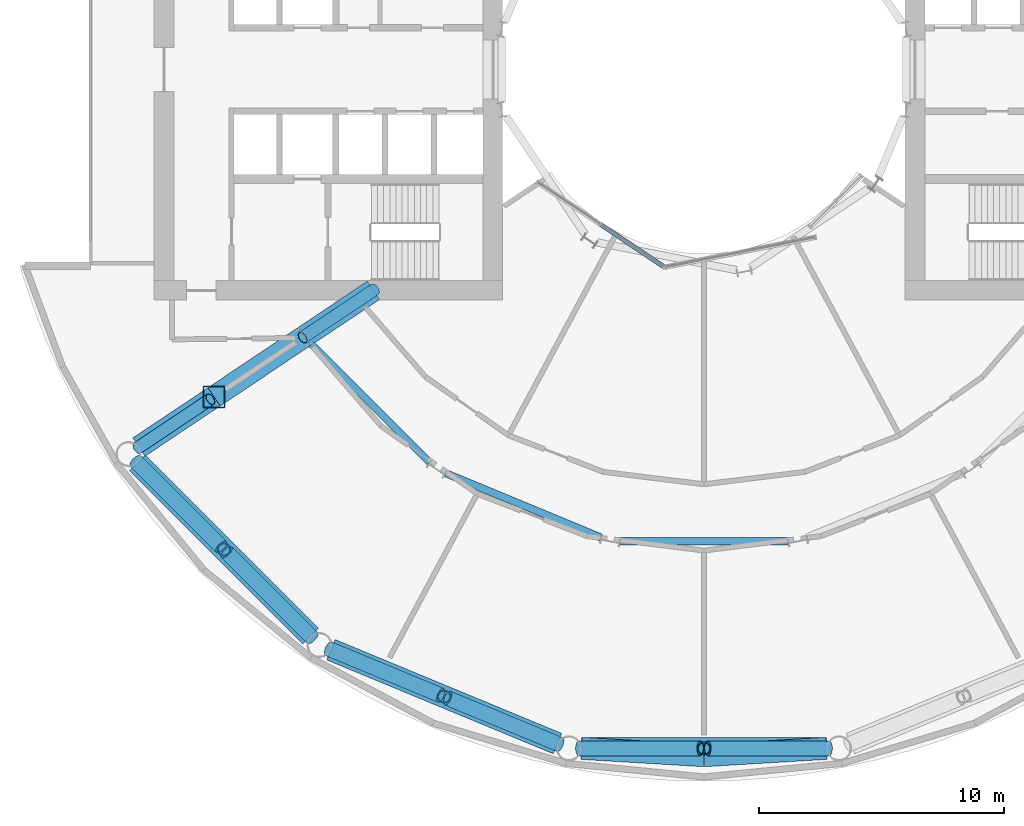
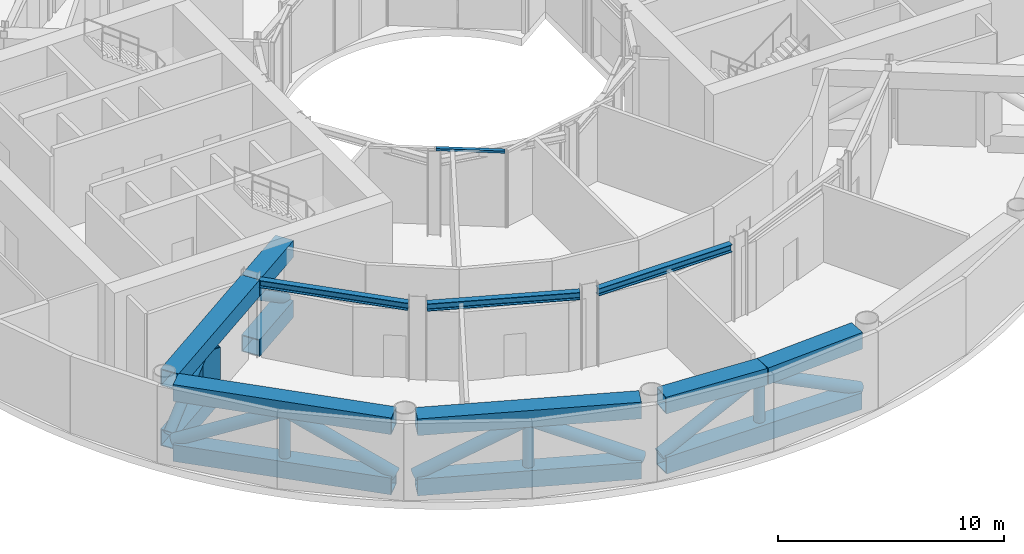
# One storey, part 3 of 15: 14 beams, 13 members, 1 element without a shape of its own.
"""IFC4 building model written with IfcOpenShell, lengths in metres."""

from ifc_helpers import new_model, si_unit, direction, frame, origin, origin_2d, place, context, subcontext, project, spatial, rectangle, hollow_rectangle, hollow_circle, i_section, extrude, material, layer, layer_set, material_profile, profile_set, type_object, element, aggregate, save


model = new_model("IFC4")

# Units and contexts
model_context = context("Model", 3, precision=1e-05, world=origin(), true_north=direction((0.0, 1.0)))
body_context = subcontext(model_context, "Body", "Model", "MODEL_VIEW")
ifc_project = project(units=[si_unit("LENGTHUNIT", "METRE"), si_unit("AREAUNIT", "SQUARE_METRE"), si_unit("VOLUMEUNIT", "CUBIC_METRE"), si_unit("PLANEANGLEUNIT", "RADIAN"), si_unit("MASSUNIT", "GRAM", prefix="KILO")], contexts=[model_context])

# Site, building, storey
site_placement = place(None, origin())
site = spatial("IfcSite", under=ifc_project, at=site_placement, CompositionType="ELEMENT")
building_placement = place(site_placement, origin())
building = spatial("IfcBuilding", under=site, at=building_placement, Name="Maasbend Ring Residences", CompositionType="ELEMENT")
storey_placement = place(building_placement, frame((0.0, 0.0, 18.300048828125)))
storey = spatial("IfcBuildingStorey", under=building, at=storey_placement, Name="L04", CompositionType="ELEMENT", Elevation=18.300048828125)

# Beams
ifc_material_1 = material(Name="Steel S460M", Category="steel")
ifc_material_profile_1 = material_profile(ifc_material_1, hollow_rectangle(XDim=0.89990234375, YDim=0.89990234375, WallThickness=0.044921875, at=origin_2d()), Name="Belt truss chord BX 900x900x45")
ifc_profile_set_1 = profile_set([ifc_material_profile_1], Name="Steel S460M")
beam_type_1 = type_object("IfcBeamType", Name="Belt truss chord BX 900x900x45", PredefinedType="BEAM", material=ifc_profile_set_1)
for number, where, z_axis, x_axis, name in (
    (1, (-23.088134765625, -16.0263671875, 0.449951171875), (0.707106781187, -0.707106781187, 0.0), (0.707106781187, 0.707106781187, 0.0), "Belt truss"),
    (2, (-23.088134765625, -16.0263671875, 3.699951171875), (0.707106781187, -0.707106781187, 0.0), (0.707106781187, 0.707106781187, 0.0), "Belt truss"),
):
    element("IfcBeam", number, at=place(storey_placement, frame(where, z_axis=z_axis, x_axis=x_axis)), inside=storey, type_object=beam_type_1, Name=name, PredefinedType="BEAM", context=body_context, shape_type="SweptSolid", body=[
        extrude(hollow_rectangle(XDim=0.89990234375, YDim=0.89990234375, WallThickness=0.044921875, at=origin_2d()), origin(), (0.0, 0.0, 1.0), 9.98681640625),
    ])
for number, where, z_axis, x_axis, name in (
    (3, (-15.19775390625, -23.641845703125, 0.449951171875), (0.923886337442, -0.382667003395, 0.0), (0.382667003395, 0.923886337442, 0.0), "Belt truss"),
    (4, (-15.19775390625, -23.641845703125, 3.699951171875), (0.923886337442, -0.382667003395, 0.0), (0.382667003395, 0.923886337442, 0.0), "Belt truss"),
):
    element("IfcBeam", number, at=place(storey_placement, frame(where, z_axis=z_axis, x_axis=x_axis)), inside=storey, type_object=beam_type_1, Name=name, PredefinedType="BEAM", context=body_context, shape_type="SweptSolid", body=[
        extrude(hollow_rectangle(XDim=0.89990234375, YDim=0.89990234375, WallThickness=0.044921875, at=origin_2d()), origin(), (0.0, 0.0, 1.0), 9.9873046875),
    ])
beam_1_placement = place(storey_placement, frame((-4.993408203125, -27.658203125, 0.449951171875), z_axis=(1.0, 0.0, 0.0), x_axis=(0.0, 1.0, 0.0)))
element("IfcBeam", 5, at=beam_1_placement, inside=storey, type_object=beam_type_1, Name="Belt truss", PredefinedType="BEAM", context=body_context, shape_type="SweptSolid", body=[
    extrude(hollow_rectangle(XDim=0.89990234375, YDim=0.89990234375, WallThickness=0.044921875, at=origin_2d()), origin(), (0.0, 0.0, 1.0), 9.98681640625),
])
for number, where, z_axis, x_axis, name in (
    (6, (-4.993408203125, -27.658203125, 3.699951171875), (0.998202452092, -0.059932166976, 0.0), (0.059932166976, 0.998202452092, 0.0), "Belt truss"),
    (7, (0.0, -27.9580078125, 3.699951171875), (0.998202452092, 0.059932166976, 0.0), (-0.059932166976, 0.998202452092, 0.0), "Belt truss"),
):
    element("IfcBeam", number, at=place(storey_placement, frame(where, z_axis=z_axis, x_axis=x_axis)), inside=storey, type_object=beam_type_1, Name=name, PredefinedType="BEAM", context=body_context, shape_type="SweptSolid", body=[
        extrude(hollow_rectangle(XDim=0.89990234375, YDim=0.89990234375, WallThickness=0.044921875, at=origin_2d()), origin(), (0.0, 0.0, 1.0), 5.00244140625),
    ])

# Members
ifc_material_2 = material(Name="Steel S460NH", Category="steel")
ifc_material_profile_2 = material_profile(ifc_material_2, hollow_circle(Radius=0.304931640625, WallThickness=0.02490234375, at=origin_2d()), Name="Belt truss diagonal CHS 610x25")
ifc_profile_set_2 = profile_set([ifc_material_profile_2], Name="Steel S460NH")
member_type_1 = type_object("IfcMemberType", Name="Belt truss diagonal CHS 610x25", PredefinedType="BRACE", material=ifc_profile_set_2)
for number, where, z_axis, x_axis, name in (
    (8, (-23.159423828125, -15.955078125, 0.849853515625), (0.633496351585, -0.633496351585, 0.444257521103), (0.707106781187, 0.707106781187, 0.0), "Belt truss diagonal"),
    (9, (-19.448974609375, -19.66552734375, 3.300048828125), (0.633496351585, -0.633496351585, -0.444257521103), (0.707106781187, 0.707106781187, 0.0), "Belt truss diagonal"),
    (10, (-15.291015625, -23.603271484375, 0.849853515625), (0.827714428739, -0.342833747825, 0.444245254122), (0.38266743189, 0.923886159963, 0.0), "Belt truss diagonal"),
    (11, (-10.44287109375, -25.611328125, 3.300048828125), (0.827714428739, -0.342833747825, -0.444245254122), (0.38266743189, 0.923886159963, 0.0), "Belt truss diagonal"),
):
    element("IfcMember", number, at=place(storey_placement, frame(where, z_axis=z_axis, x_axis=x_axis)), inside=storey, type_object=member_type_1, Name=name, PredefinedType="BRACE", context=body_context, shape_type="SweptSolid", body=[
        extrude(hollow_circle(Radius=0.304931640625, WallThickness=0.02490234375, at=origin_2d()), origin(), (0.0, 0.0, 1.0), 5.515380859375),
    ])
for number, where, z_axis, x_axis, name in (
    (12, (-5.09423828125, -27.658203125, 0.849853515625), (0.895892052574, 0.0, 0.44427179759), (0.0, 1.0, 0.0), "Belt truss diagonal"),
    (13, (0.1533203125, -27.658203125, 3.300048828125), (0.895892052574, 0.0, -0.44427179759), (0.0, 1.0, 0.0), "Belt truss diagonal"),
):
    element("IfcMember", number, at=place(storey_placement, frame(where, z_axis=z_axis, x_axis=x_axis)), inside=storey, type_object=member_type_1, Name=name, PredefinedType="BRACE", context=body_context, shape_type="SweptSolid", body=[
        extrude(hollow_circle(Radius=0.304931640625, WallThickness=0.02490234375, at=origin_2d()), origin(), (0.0, 0.0, 1.0), 5.51513671875),
    ])
ifc_material_3 = material(Name="Steel S460NH", Category="steel")
ifc_material_profile_3 = material_profile(ifc_material_3, hollow_circle(Radius=0.25390625, WallThickness=0.01611328125, at=origin_2d()), Name="Belt truss post CHS 508x16")
ifc_profile_set_3 = profile_set([ifc_material_profile_3], Name="Steel S460NH")
member_type_2 = type_object("IfcMemberType", Name="Belt truss post CHS 508x16", PredefinedType="POST", material=ifc_profile_set_3)
for number, where, z_axis, x_axis, name in (
    (14, (-19.55712890625, -19.55712890625, 0.89990234375), (0.0, 0.0, 1.0), (1.0, 0.0, 0.0), "Belt truss post"),
    (15, (-10.584228515625, -25.552734375, 0.89990234375), (0.0, 0.0, 1.0), (1.0, 0.0, 0.0), "Belt truss post"),
    (16, (0.0, -27.658203125, 0.89990234375), (0.0, 0.0, 1.0), (1.0, 0.0, 0.0), "Belt truss post"),
):
    element("IfcMember", number, at=place(storey_placement, frame(where, z_axis=z_axis, x_axis=x_axis)), inside=storey, type_object=member_type_2, Name=name, PredefinedType="POST", context=body_context, shape_type="SweptSolid", body=[
        extrude(hollow_circle(Radius=0.25390625, WallThickness=0.01611328125, at=origin_2d()), origin(), (0.0, 0.0, 1.0), 2.35009765625),
    ])

# Curtain wall, member
ifc_material_4 = material(Name="Aluminium and clear glass", Category="aluminium")
ifc_layer = layer(ifc_material_4, 0.179931640625)
ifc_layer_set = layer_set([ifc_layer], Name="CW-W")
curtain_wall_type = type_object("IfcCurtainWallType", Name="CW-W", PredefinedType="NOTDEFINED", material=ifc_layer_set)
curtain_wall_placement = place(storey_placement, origin())
curtain_wall = element("IfcCurtainWall", 17, at=curtain_wall_placement, inside=storey, type_object=curtain_wall_type, Name="Well curtain wall S1", PredefinedType="NOTDEFINED")
ifc_material_5 = material(Name="Aluminium 6063-T6", Category="aluminium")
ifc_material_profile_4 = material_profile(ifc_material_5, rectangle(XDim=0.179931640625, YDim=0.1201171875, at=origin_2d()), Name="AL 180x120")
ifc_profile_set_4 = profile_set([ifc_material_profile_4], Name="Aluminium 6063-T6")
member_type_3 = type_object("IfcMemberType", Name="CWT-W", PredefinedType="USERDEFINED", material=ifc_profile_set_4)
member_1_placement = place(storey_placement, frame((-4.19189453125, -6.32763671875, 4.08984375), z_axis=(0.831496422459, -0.555530106689, 0.0), x_axis=(0.555530106689, 0.831496422459, 0.0)))
member_1 = element("IfcMember", 18, at=member_1_placement, type_object=member_type_3, Name="Transom well face", ObjectType="TRANSOM", PredefinedType="USERDEFINED", context=body_context, shape_type="SweptSolid", body=[
    extrude(rectangle(XDim=0.179931640625, YDim=0.1201171875, at=origin_2d()), origin(), (0.0, 0.0, 1.0), 3.053955078125),
])
aggregate(curtain_wall, [member_1])

# Beams
ifc_material_6 = material(Name="Steel S355J2", Category="steel")
ifc_material_profile_5 = material_profile(ifc_material_6, i_section(OverallWidth=0.300048828125, OverallDepth=0.39990234375, WebThickness=0.013427734375, FlangeThickness=0.02392578125, FilletRadius=0.027099609375, at=origin_2d()), Name="HEB 400")
ifc_profile_set_5 = profile_set([ifc_material_profile_5], Name="Steel S355J2")
beam_type_2 = type_object("IfcBeamType", Name="Corridor ring beam HEB 400", PredefinedType="BEAM", material=ifc_profile_set_5)
for number, where, z_axis, x_axis, name in (
    (19, (-16.00341796875, -11.1826171875, 3.949951171875), (0.707106781187, -0.707106781187, 0.0), (0.707106781187, 0.707106781187, 0.0), "Corridor ring beam"),
    (20, (-10.505859375, -16.45556640625, 3.949951171875), (0.92387061516, -0.382704960046, 0.0), (0.382704960046, 0.92387061516, 0.0), "Corridor ring beam"),
):
    element("IfcBeam", number, at=place(storey_placement, frame(where, z_axis=z_axis, x_axis=x_axis)), inside=storey, type_object=beam_type_2, Name=name, PredefinedType="BEAM", context=body_context, shape_type="SweptSolid", body=[
        extrude(i_section(OverallWidth=0.300048828125, OverallDepth=0.39990234375, WebThickness=0.013427734375, FlangeThickness=0.02392578125, FilletRadius=0.027099609375, at=origin_2d()), origin(), (0.0, 0.0, 1.0), 6.817626953125),
    ])
beam_2_placement = place(storey_placement, frame((-3.40869140625, -19.223388671875, 3.949951171875), z_axis=(1.0, 0.0, 0.0), x_axis=(0.0, 1.0, 0.0)))
element("IfcBeam", 21, at=beam_2_placement, inside=storey, type_object=beam_type_2, Name="Corridor ring beam", PredefinedType="BEAM", context=body_context, shape_type="SweptSolid", body=[
    extrude(i_section(OverallWidth=0.300048828125, OverallDepth=0.39990234375, WebThickness=0.013427734375, FlangeThickness=0.02392578125, FilletRadius=0.027099609375, at=origin_2d()), origin(), (0.0, 0.0, 1.0), 6.8173828125),
])
ifc_material_7 = material(Name="Steel S460M", Category="steel")
ifc_material_profile_6 = material_profile(ifc_material_7, hollow_rectangle(XDim=0.89990234375, YDim=0.89990234375, WallThickness=0.044921875, at=origin_2d()), Name="Outrigger truss chord BX 900x900x45")
ifc_profile_set_6 = profile_set([ifc_material_profile_6], Name="Steel S460M")
beam_type_3 = type_object("IfcBeamType", Name="Outrigger truss chord BX 900x900x45", PredefinedType="BEAM", material=ifc_profile_set_6)
beam_3_placement = place(storey_placement, frame((-23.02490234375, -15.385009765625, 0.449951171875), z_axis=(0.83143805452, 0.555617459676, 0.0), x_axis=(-0.555617459676, 0.83143805452, 0.0)))
element("IfcBeam", 22, at=beam_3_placement, inside=storey, type_object=beam_type_3, Name="Outrigger truss", PredefinedType="BEAM", context=body_context, shape_type="SweptSolid", body=[
    extrude(hollow_rectangle(XDim=0.89990234375, YDim=0.89990234375, WallThickness=0.044921875, at=origin_2d()), origin(), (0.0, 0.0, 1.0), 3.68408203125),
])
beam_4_placement = place(storey_placement, frame((-23.02490234375, -15.385009765625, 3.699951171875), z_axis=(0.831450444505, 0.555598918585, 0.0), x_axis=(-0.555598918585, 0.831450444505, 0.0)))
element("IfcBeam", 23, at=beam_4_placement, inside=storey, type_object=beam_type_3, Name="Outrigger truss", PredefinedType="BEAM", context=body_context, shape_type="SweptSolid", body=[
    extrude(hollow_rectangle(XDim=0.89990234375, YDim=0.89990234375, WallThickness=0.044921875, at=origin_2d()), origin(), (0.0, 0.0, 1.0), 8.083984375),
])
for number, where, z_axis, x_axis, name in (
    (24, (-16.2900390625, -10.884765625, 0.449951171875), (0.831451918965, 0.555596712058, 0.0), (-0.555596712058, 0.831451918965, 0.0), "Outrigger truss"),
    (25, (-16.2900390625, -10.884765625, 3.699951171875), (0.831451918965, 0.555596712058, 0.0), (-0.555596712058, 0.831451918965, 0.0), "Outrigger truss"),
):
    element("IfcBeam", number, at=place(storey_placement, frame(where, z_axis=z_axis, x_axis=x_axis)), inside=storey, type_object=beam_type_3, Name=name, PredefinedType="BEAM", context=body_context, shape_type="SweptSolid", body=[
        extrude(hollow_rectangle(XDim=0.89990234375, YDim=0.89990234375, WallThickness=0.044921875, at=origin_2d()), origin(), (0.0, 0.0, 1.0), 3.392333984375),
    ])

# Members
ifc_material_8 = material(Name="Steel S460NH", Category="steel")
ifc_material_profile_7 = material_profile(ifc_material_8, hollow_circle(Radius=0.25390625, WallThickness=0.02490234375, at=origin_2d()), Name="Outrigger truss diagonal CHS 508x25")
ifc_profile_set_7 = profile_set([ifc_material_profile_7], Name="Steel S460NH")
member_type_4 = type_object("IfcMemberType", Name="Outrigger truss diagonal CHS 508x25", PredefinedType="BRACE", material=ifc_profile_set_7)
member_2_placement = place(storey_placement, frame((-23.085693359375, -15.42529296875, 0.849853515625), z_axis=(0.685925773772, 0.458278842366, 0.565231223054), x_axis=(-0.555534944502, 0.831493190253, 0.0)))
element("IfcMember", 26, at=member_2_placement, inside=storey, type_object=member_type_4, Name="Outrigger truss diagonal", PredefinedType="BRACE", context=body_context, shape_type="SweptSolid", body=[
    extrude(hollow_circle(Radius=0.25390625, WallThickness=0.02490234375, at=origin_2d()), origin(), (0.0, 0.0, 1.0), 4.3349609375),
])
member_3_placement = place(storey_placement, frame((-16.35009765625, -10.9248046875, 3.300048828125), z_axis=(0.683477966691, 0.456673364544, -0.56947985668), x_axis=(-0.555560130129, 0.831476362749, 0.0)))
element("IfcMember", 27, at=member_3_placement, inside=storey, type_object=member_type_4, Name="Outrigger truss diagonal", PredefinedType="BRACE", context=body_context, shape_type="SweptSolid", body=[
    extrude(hollow_circle(Radius=0.25390625, WallThickness=0.02490234375, at=origin_2d()), origin(), (0.0, 0.0, 1.0), 4.302490234375),
])
ifc_material_9 = material(Name="Steel S460M", Category="steel")
ifc_material_profile_8 = material_profile(ifc_material_9, hollow_rectangle(XDim=0.89990234375, YDim=0.89990234375, WallThickness=0.044921875, at=origin_2d()), Name="Outrigger truss post BX 900x900x45")
ifc_profile_set_8 = profile_set([ifc_material_profile_8], Name="Steel S460M")
member_type_5 = type_object("IfcMemberType", Name="Outrigger truss post BX 900x900x45", PredefinedType="POST", material=ifc_profile_set_8)
member_4_placement = place(storey_placement, frame((-19.9619140625, -13.338134765625, 0.39990234375), z_axis=(0.0, 0.0, 1.0), x_axis=(1.0, 0.0, 0.0)))
element("IfcMember", 28, at=member_4_placement, inside=storey, type_object=member_type_5, Name="Outrigger truss post", PredefinedType="POST", context=body_context, shape_type="SweptSolid", body=[
    extrude(hollow_rectangle(XDim=0.89990234375, YDim=0.89990234375, WallThickness=0.044921875, at=origin_2d()), origin(), (0.0, 0.0, 1.0), 2.85009765625),
])

save(model, "model.ifc")
